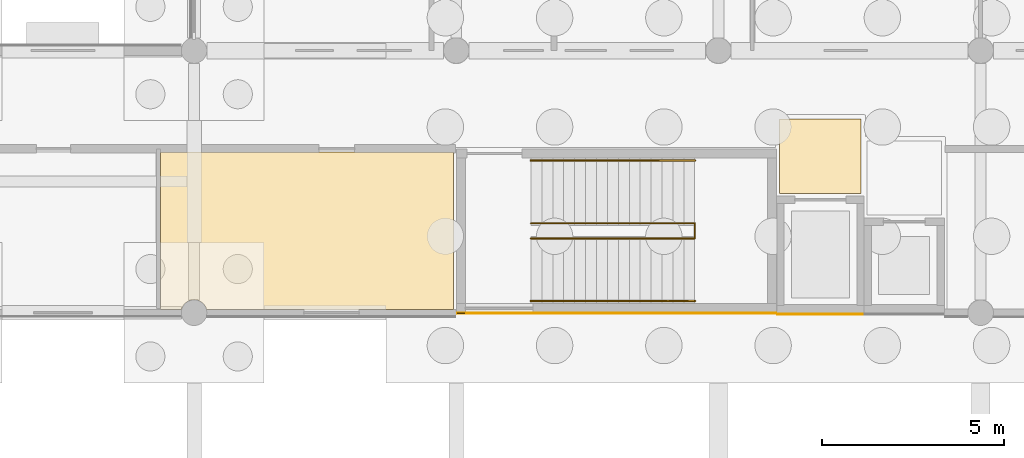
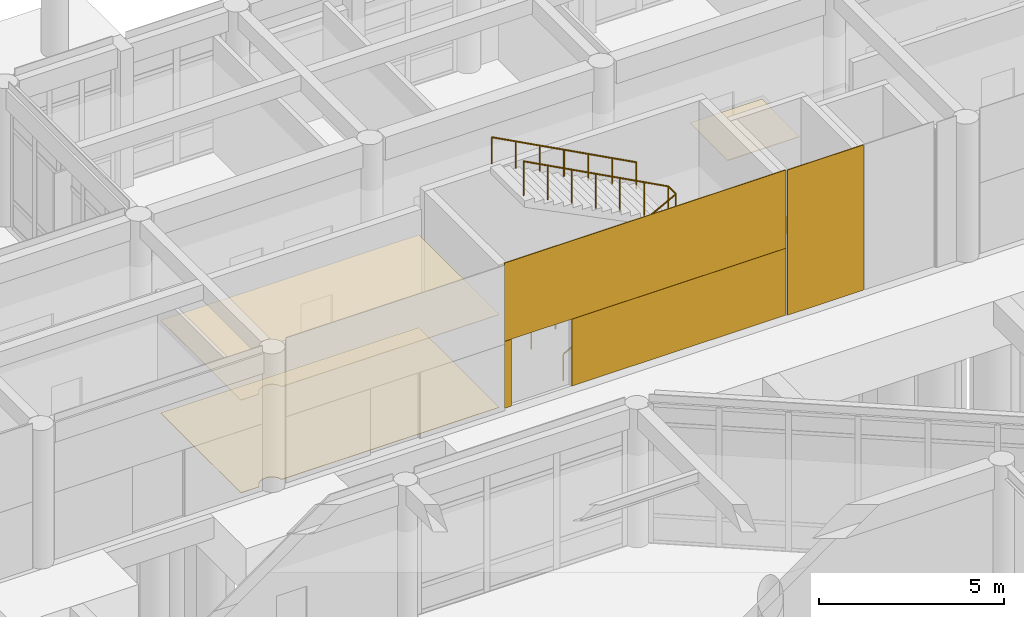
# One storey, part 90 of 103: 8 coverings, 3 railings.
"""IFC4 building model written with IfcOpenShell, lengths in metres."""

from ifc_helpers import new_model, si_unit, direction, frame, origin, origin_2d, place, context, subcontext, project, spatial, polyline, rectangle, circle, outline, extrude, material, layer, layer_set, type_object, element, save


model = new_model("IFC4")

# Units and contexts
model_context = context("Model", 3, precision=1e-05, world=origin(), true_north=direction((0.0, 1.0)))
body_context = subcontext(model_context, "Body", "Model", "MODEL_VIEW")
ifc_project = project(units=[si_unit("LENGTHUNIT", "METRE"), si_unit("AREAUNIT", "SQUARE_METRE"), si_unit("VOLUMEUNIT", "CUBIC_METRE"), si_unit("PLANEANGLEUNIT", "RADIAN"), si_unit("MASSUNIT", "GRAM", prefix="KILO")], contexts=[model_context])

# Site, building, storey
site_placement = place(None, origin())
site = spatial("IfcSite", under=ifc_project, at=site_placement, CompositionType="ELEMENT")
building_placement = place(site_placement, origin())
building = spatial("IfcBuilding", under=site, at=building_placement, Name="Namkhue Oval Health Centre", CompositionType="ELEMENT")
storey_placement = place(building_placement, origin())
storey = spatial("IfcBuildingStorey", under=building, at=storey_placement, Name="L00", CompositionType="ELEMENT", Elevation=0.0)

# Coverings
ifc_material_1 = material(Name="Acoustic mineral-fibre cleanroom ceiling", Category="gypsum")
ifc_layer_1 = layer(ifc_material_1, 0.02001953125)
ifc_layer_set_1 = layer_set([ifc_layer_1], Name="Acoustic mineral-fibre cleanroom ceiling")
covering_type_1 = type_object("IfcCoveringType", Name="ACOUSTIC CLEANROOM CEILING 20", PredefinedType="CEILING", material=ifc_layer_set_1)
covering_1_placement = place(storey_placement, frame((0.0, 0.0, 3.050048828125)))
element("IfcCovering", 1, at=covering_1_placement, inside=storey, type_object=covering_type_1, Name="Acoustic Ceiling L00-LL1 Lift Lobby LF-01", PredefinedType="CEILING", context=body_context, shape_type="SweptSolid", body=[
    extrude(outline(polyline([(66.47998046875, 93.280029296875), (66.47998046875, 95.320068359375), (68.719970703125, 95.320068359375), (68.719970703125, 93.280029296875), (66.47998046875, 93.280029296875)])), origin(), (0.0, 0.0, 1.0), 0.02001953125),
])
covering_2_placement = place(storey_placement, frame((0.0, 0.0, 3.050048828125)))
element("IfcCovering", 2, at=covering_2_placement, inside=storey, type_object=covering_type_1, Name="Acoustic Ceiling L00-211 Paediatric Growth Assessment Room", PredefinedType="CEILING", context=body_context, shape_type="SweptSolid", body=[
    extrude(outline(polyline([(50.748779296875, 90.0849609375), (50.7119140625, 90.179931640625), (50.654541015625, 90.254638671875), (50.580078125, 90.311767578125), (50.4931640625, 90.34765625), (50.39990234375, 90.360107421875), (50.306884765625, 90.34765625), (50.219970703125, 90.311767578125), (50.1455078125, 90.254638671875), (50.088134765625, 90.179931640625), (50.05126953125, 90.0849609375), (49.47998046875, 90.0849609375), (49.47998046875, 94.419921875), (57.52001953125, 94.419921875), (57.52001953125, 90.0849609375), (50.748779296875, 90.0849609375)])), origin(), (0.0, 0.0, 1.0), 0.02001953125),
])
ifc_material_2 = material(Name="Homogeneous anti-bacterial clinical vinyl flooring", Category="plastic")
ifc_layer_2 = layer(ifc_material_2, 0.014892578125)
ifc_layer_set_2 = layer_set([ifc_layer_2], Name="Homogeneous anti-bacterial clinical vinyl flooring")
covering_type_2 = type_object("IfcCoveringType", Name="CLINICAL ANTIBACTERIAL VINYL FLOORING 15", PredefinedType="FLOORING", material=ifc_layer_set_2)
covering_3_placement = place(storey_placement, origin())
element("IfcCovering", 3, at=covering_3_placement, inside=storey, type_object=covering_type_2, Name="Clinical Flooring L00-LL1 Lift Lobby LF-01", PredefinedType="FLOORING", context=body_context, shape_type="SweptSolid", body=[
    extrude(outline(polyline([(66.47998046875, 93.280029296875), (66.47998046875, 95.320068359375), (68.719970703125, 95.320068359375), (68.719970703125, 93.280029296875), (66.47998046875, 93.280029296875)])), origin(), (0.0, 0.0, 1.0), 0.014892578125),
])
covering_4_placement = place(storey_placement, origin())
element("IfcCovering", 4, at=covering_4_placement, inside=storey, type_object=covering_type_2, Name="Clinical Flooring L00-211 Paediatric Growth Assessment Room", PredefinedType="FLOORING", context=body_context, shape_type="SweptSolid", body=[
    extrude(outline(polyline([(50.748779296875, 90.0849609375), (50.7119140625, 90.179931640625), (50.654541015625, 90.254638671875), (50.580078125, 90.311767578125), (50.4931640625, 90.34765625), (50.39990234375, 90.360107421875), (50.306884765625, 90.34765625), (50.219970703125, 90.311767578125), (50.1455078125, 90.254638671875), (50.088134765625, 90.179931640625), (50.05126953125, 90.0849609375), (49.47998046875, 90.0849609375), (49.47998046875, 94.419921875), (57.52001953125, 94.419921875), (57.52001953125, 90.0849609375), (50.748779296875, 90.0849609375)])), origin(), (0.0, 0.0, 1.0), 0.014892578125),
])

# Railings
ifc_material_3 = material(Name="Brushed stainless steel 316L balustrade with laminated glass infill", Category="steel")
railing_type_1 = type_object("IfcRailingType", Name="INTERIOR BALUSTRADE GUARD 1150", PredefinedType="BALUSTRADE", material=ifc_material_3)
railing_1_placement = place(storey_placement, frame((59.64990234375, 92.0400390625, 0.0)))
element("IfcRailing", 5, at=railing_1_placement, inside=storey, type_object=railing_type_1, Name="Stair ST-03 L00 Inner Well Guard", PredefinedType="BALUSTRADE", context=body_context, shape_type="SweptSolid", body=[
    extrude(circle(Radius=0.02392578125, at=origin_2d()), frame((0.0, 0.0, 1.1259765625), z_axis=(0.882360891967, 0.0, 0.470573327259), x_axis=(0.0, 1.0, 0.0)), (0.0, 0.0, 1.0), 5.099853515625),
    extrude(circle(Radius=0.02392578125, at=origin_2d()), frame((4.5, 0.0, 3.52587890625), z_axis=(0.0, 1.0, 0.0), x_axis=(-1.0, 0.0, 0.0)), (0.0, 0.0, 1.0), 0.419921875),
    extrude(circle(Radius=0.02392578125, at=origin_2d()), frame((4.5, 0.419921875, 3.52587890625), z_axis=(-0.882341014787, 0.0, 0.470610596591), x_axis=(0.0, -1.0, 0.0)), (0.0, 0.0, 1.0), 5.10009765625),
    extrude(circle(Radius=0.02099609375, at=origin_2d()), origin(), (0.0, 0.0, 1.0), 1.101806640625),
    extrude(circle(Radius=0.02099609375, at=origin_2d()), frame((0.75, 0.0, 0.39990234375)), (0.0, 0.0, 1.0), 1.101806640625),
    extrude(circle(Radius=0.02099609375, at=origin_2d()), frame((1.5, 0.0, 0.800048828125)), (0.0, 0.0, 1.0), 1.101806640625),
    extrude(circle(Radius=0.02099609375, at=origin_2d()), frame((2.25, 0.0, 1.199951171875)), (0.0, 0.0, 1.0), 1.101806640625),
    extrude(circle(Radius=0.02099609375, at=origin_2d()), frame((3.0, 0.0, 1.599853515625)), (0.0, 0.0, 1.0), 1.101806640625),
    extrude(circle(Radius=0.02099609375, at=origin_2d()), frame((3.75, 0.0, 2.0)), (0.0, 0.0, 1.0), 1.101806640625),
    extrude(circle(Radius=0.02099609375, at=origin_2d()), frame((4.5, 0.0, 2.39990234375)), (0.0, 0.0, 1.0), 1.101806640625),
    extrude(circle(Radius=0.02099609375, at=origin_2d()), frame((4.5, 0.419921875, 2.39990234375)), (0.0, 0.0, 1.0), 1.101806640625),
    extrude(circle(Radius=0.02099609375, at=origin_2d()), frame((3.75, 0.419921875, 2.7998046875)), (0.0, 0.0, 1.0), 1.101806640625),
    extrude(circle(Radius=0.02099609375, at=origin_2d()), frame((3.0, 0.419921875, 3.199951171875)), (0.0, 0.0, 1.0), 1.101806640625),
    extrude(circle(Radius=0.02099609375, at=origin_2d()), frame((2.25, 0.419921875, 3.60009765625)), (0.0, 0.0, 1.0), 1.101806640625),
    extrude(circle(Radius=0.02099609375, at=origin_2d()), frame((1.5, 0.419921875, 4.0)), (0.0, 0.0, 1.0), 1.101806640625),
    extrude(circle(Radius=0.02099609375, at=origin_2d()), frame((0.75, 0.419921875, 4.39990234375)), (0.0, 0.0, 1.0), 1.101806640625),
    extrude(circle(Radius=0.02099609375, at=origin_2d()), frame((0.0, 0.419921875, 4.800048828125)), (0.0, 0.0, 1.0), 1.101806640625),
])
ifc_material_4 = material(Name="Brushed stainless steel 304 tubular handrail", Category="steel")
railing_type_2 = type_object("IfcRailingType", Name="INTERIOR STAIR HANDRAIL 900", PredefinedType="HANDRAIL", material=ifc_material_4)
railing_2_placement = place(storey_placement, frame((59.64990234375, 90.320068359375, 0.0)))
element("IfcRailing", 6, at=railing_2_placement, inside=storey, type_object=railing_type_2, Name="Stair ST-03 L00 Flight 1 Handrail", PredefinedType="HANDRAIL", context=body_context, shape_type="SweptSolid", body=[
    extrude(circle(Radius=0.02392578125, at=origin_2d()), frame((0.0, 0.0, 0.8759765625), z_axis=(0.882360891967, 0.0, 0.470573327259), x_axis=(0.0, 1.0, 0.0)), (0.0, 0.0, 1.0), 5.099853515625),
    extrude(circle(Radius=0.02099609375, at=origin_2d()), origin(), (0.0, 0.0, 1.0), 0.851806640625),
    extrude(circle(Radius=0.02099609375, at=origin_2d()), frame((0.75, 0.0, 0.39990234375)), (0.0, 0.0, 1.0), 0.851806640625),
    extrude(circle(Radius=0.02099609375, at=origin_2d()), frame((1.5, 0.0, 0.800048828125)), (0.0, 0.0, 1.0), 0.851806640625),
    extrude(circle(Radius=0.02099609375, at=origin_2d()), frame((2.25, 0.0, 1.199951171875)), (0.0, 0.0, 1.0), 0.851806640625),
    extrude(circle(Radius=0.02099609375, at=origin_2d()), frame((3.0, 0.0, 1.599853515625)), (0.0, 0.0, 1.0), 0.851806640625),
    extrude(circle(Radius=0.02099609375, at=origin_2d()), frame((3.75, 0.0, 2.0)), (0.0, 0.0, 1.0), 0.851806640625),
    extrude(circle(Radius=0.02099609375, at=origin_2d()), frame((4.5, 0.0, 2.39990234375)), (0.0, 0.0, 1.0), 0.851806640625),
])
railing_3_placement = place(storey_placement, frame((64.14990234375, 94.179931640625, 2.39990234375)))
element("IfcRailing", 7, at=railing_3_placement, inside=storey, type_object=railing_type_2, Name="Stair ST-03 L00 Flight 2 Handrail", PredefinedType="HANDRAIL", context=body_context, shape_type="SweptSolid", body=[
    extrude(circle(Radius=0.02392578125, at=origin_2d()), frame((0.0, 0.0, 0.8759765625), z_axis=(-0.882341014787, 0.0, 0.470610596591), x_axis=(0.0, -1.0, 0.0)), (0.0, 0.0, 1.0), 5.10009765625),
    extrude(circle(Radius=0.02099609375, at=origin_2d()), origin(), (0.0, 0.0, 1.0), 0.851806640625),
    extrude(circle(Radius=0.02099609375, at=origin_2d()), frame((-0.75, 0.0, 0.39990234375)), (0.0, 0.0, 1.0), 0.851806640625),
    extrude(circle(Radius=0.02099609375, at=origin_2d()), frame((-1.5, 0.0, 0.800048828125)), (0.0, 0.0, 1.0), 0.851806640625),
    extrude(circle(Radius=0.02099609375, at=origin_2d()), frame((-2.25, 0.0, 1.2001953125)), (0.0, 0.0, 1.0), 0.851806640625),
    extrude(circle(Radius=0.02099609375, at=origin_2d()), frame((-3.0, 0.0, 1.60009765625)), (0.0, 0.0, 1.0), 0.851806640625),
    extrude(circle(Radius=0.02099609375, at=origin_2d()), frame((-3.75, 0.0, 2.0)), (0.0, 0.0, 1.0), 0.851806640625),
    extrude(circle(Radius=0.02099609375, at=origin_2d()), frame((-4.5, 0.0, 2.400146484375)), (0.0, 0.0, 1.0), 0.851806640625),
])

# Coverings
ifc_material_5 = material(Name="White glass-fibre reinforced concrete GRC rainscreen cladding", Category="concrete")
ifc_layer_3 = layer(ifc_material_5, 0.02490234375)
ifc_layer_set_3 = layer_set([ifc_layer_3], Name="White glass-fibre reinforced concrete GRC rainscreen cladding")
covering_type_3 = type_object("IfcCoveringType", Name="WHITE GRC RAINSCREEN CLADDING 25", PredefinedType="CLADDING", material=ifc_layer_set_3)
covering_5_placement = place(storey_placement, frame((62.0, 89.988037109375, 2.21484375), z_axis=(0.0, 0.0, 1.0), x_axis=(1.0, 0.0, 0.0)))
element("IfcCovering", 8, at=covering_5_placement, inside=storey, type_object=covering_type_3, Name="Core SC-03 L00 Core S White GRC Cladding 1", PredefinedType="CLADDING", context=body_context, shape_type="SweptSolid", body=[
    extrude(rectangle(XDim=8.760009765625, YDim=0.02490234375, at=origin_2d()), origin(), (0.0, 0.0, 1.0), 2.574951171875),
])
covering_6_placement = place(storey_placement, frame((57.7275390625, 89.988037109375, 0.01025390625), z_axis=(0.0, 0.0, 1.0), x_axis=(1.0, 0.0, 0.0)))
element("IfcCovering", 9, at=covering_6_placement, inside=storey, type_object=covering_type_3, Name="Core SC-03 L00 Core S White GRC Cladding 2", PredefinedType="CLADDING", context=body_context, shape_type="SweptSolid", body=[
    extrude(rectangle(XDim=0.215087890625, YDim=0.02490234375, at=origin_2d()), origin(), (0.0, 0.0, 1.0), 2.199951171875),
])
covering_7_placement = place(storey_placement, frame((63.047607421875, 89.988037109375, 0.01025390625), z_axis=(0.0, 0.0, 1.0), x_axis=(1.0, 0.0, 0.0)))
element("IfcCovering", 10, at=covering_7_placement, inside=storey, type_object=covering_type_3, Name="Core SC-03 L00 Core S White GRC Cladding 3", PredefinedType="CLADDING", context=body_context, shape_type="SweptSolid", body=[
    extrude(rectangle(XDim=6.6650390625, YDim=0.02490234375, at=origin_2d()), origin(), (0.0, 0.0, 1.0), 2.199951171875),
])
covering_8_placement = place(storey_placement, frame((67.60009765625, 89.962890625, 0.009765625), z_axis=(0.0, 0.0, 1.0), x_axis=(1.0, 0.0, 0.0)))
element("IfcCovering", 11, at=covering_8_placement, inside=storey, type_object=covering_type_3, Name="Lift LF-01 L00 S White GRC Cladding 1", PredefinedType="CLADDING", context=body_context, shape_type="SweptSolid", body=[
    extrude(rectangle(XDim=2.360107421875, YDim=0.02490234375, at=origin_2d()), origin(), (0.0, 0.0, 1.0), 4.780029296875),
])

save(model, "model.ifc")
